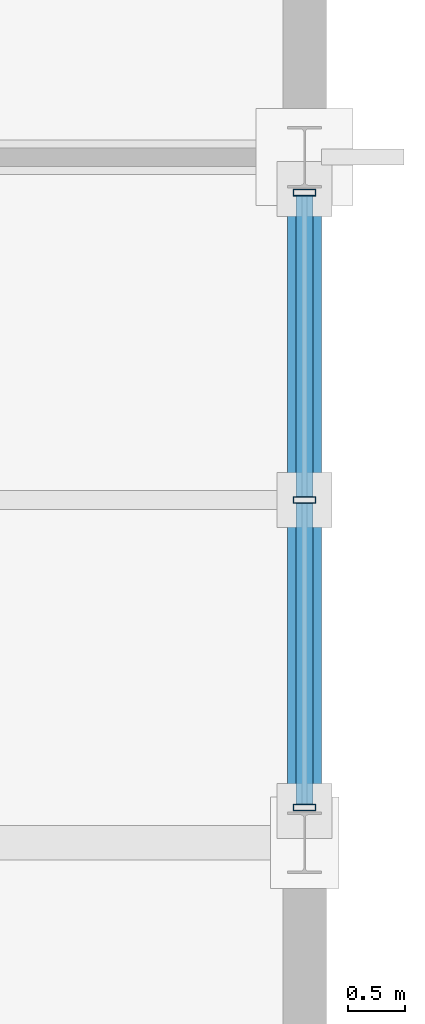
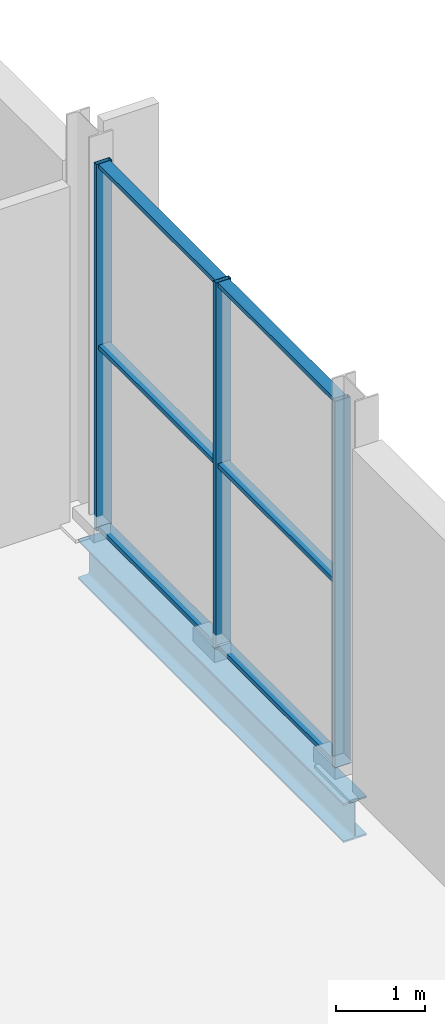
# One storey, part 143 of 196: 9 members, 1 beam, 1 element without a shape of its own.
"""IFC4 building model written with IfcOpenShell, lengths in metres."""

from ifc_helpers import new_model, si_unit, direction, frame, origin, origin_2d, place, context, subcontext, project, spatial, hollow_rectangle, i_section, extrude, material, material_profile, profile_set, type_object, element, aggregate, save


model = new_model("IFC4")

# Units and contexts
model_context = context("Model", 3, precision=1e-05, world=origin(), true_north=direction((0.0, 1.0)))
body_context = subcontext(model_context, "Body", "Model", "MODEL_VIEW")
ifc_project = project(units=[si_unit("LENGTHUNIT", "METRE"), si_unit("AREAUNIT", "SQUARE_METRE"), si_unit("VOLUMEUNIT", "CUBIC_METRE"), si_unit("PLANEANGLEUNIT", "RADIAN"), si_unit("MASSUNIT", "GRAM", prefix="KILO")], contexts=[model_context])

# Site, building, storey
site_placement = place(None, origin())
site = spatial("IfcSite", under=ifc_project, at=site_placement, CompositionType="ELEMENT")
building_placement = place(site_placement, origin())
building = spatial("IfcBuilding", under=site, at=building_placement, Name="Merenkruunu Market Hall", CompositionType="ELEMENT")
storey_placement = place(building_placement, origin())
storey = spatial("IfcBuildingStorey", under=building, at=storey_placement, Name="L00", CompositionType="ELEMENT", Elevation=0.0)

# Curtain wall, members
ifc_material_1 = material(Name="Powder-coated aluminium", Category="aluminium")
curtain_wall_type = type_object("IfcCurtainWallType", Name="Glazed Curtain Wall CW13", PredefinedType="USERDEFINED", material=ifc_material_1)
curtain_wall_placement = place(storey_placement, origin())
curtain_wall = element("IfcCurtainWall", 1, at=curtain_wall_placement, inside=storey, type_object=curtain_wall_type, Name="CW-L00-CWM03-203", ObjectType="GLAZED_FACADE", PredefinedType="USERDEFINED")
ifc_material_profile_1 = material_profile(ifc_material_1, hollow_rectangle(XDim=0.06005859375, YDim=0.199951171875, WallThickness=0.0048828125, at=origin_2d()), Name="ALU 60x200x5")
ifc_profile_set_1 = profile_set([ifc_material_profile_1], Name="Powder-coated aluminium")
member_type_1 = type_object("IfcMemberType", Name="Curtain Wall Mullion CWM03", PredefinedType="MULLION", material=ifc_profile_set_1)
member_1_placement = place(storey_placement, frame((192.0, 51.2900390625, 0.0), z_axis=(0.0, 0.0, 1.0), x_axis=(0.0, -1.0, 0.0)))
member_1 = element("IfcMember", 2, at=member_1_placement, type_object=member_type_1, Name="CW13 mullion 1", PredefinedType="MULLION", context=body_context, shape_type="SweptSolid", body=[
    extrude(hollow_rectangle(XDim=0.06005859375, YDim=0.199951171875, WallThickness=0.0048828125, at=origin_2d()), origin(), (0.0, 0.0, 1.0), 5.050048828125),
])
member_2_placement = place(storey_placement, frame((192.0, 48.60009765625, 0.0), z_axis=(0.0, 0.0, 1.0), x_axis=(0.0, -1.0, 0.0)))
member_2 = element("IfcMember", 3, at=member_2_placement, type_object=member_type_1, Name="CW13 mullion 2", PredefinedType="MULLION", context=body_context, shape_type="SweptSolid", body=[
    extrude(hollow_rectangle(XDim=0.06005859375, YDim=0.199951171875, WallThickness=0.0048828125, at=origin_2d()), origin(), (0.0, 0.0, 1.0), 5.050048828125),
])
member_3_placement = place(storey_placement, frame((192.0, 45.909912109375, 0.0), z_axis=(0.0, 0.0, 1.0), x_axis=(0.0, -1.0, 0.0)))
member_3 = element("IfcMember", 4, at=member_3_placement, type_object=member_type_1, Name="CW13 mullion 3", PredefinedType="MULLION", context=body_context, shape_type="SweptSolid", body=[
    extrude(hollow_rectangle(XDim=0.06005859375, YDim=0.199951171875, WallThickness=0.0048828125, at=origin_2d()), origin(), (0.0, 0.0, 1.0), 5.050048828125),
])
ifc_material_profile_2 = material_profile(ifc_material_1, hollow_rectangle(XDim=0.06005859375, YDim=0.14990234375, WallThickness=0.00390625, at=origin_2d()), Name="ALU 60x150x4")
ifc_profile_set_2 = profile_set([ifc_material_profile_2], Name="Powder-coated aluminium")
member_type_2 = type_object("IfcMemberType", Name="Curtain Wall Transom CWT04", PredefinedType="USERDEFINED", material=ifc_profile_set_2)
member_4_placement = place(storey_placement, frame((192.0, 51.260009765625, 0.030029296875), z_axis=(0.0, -1.0, 0.0), x_axis=(0.0, 0.0, 1.0)))
member_4 = element("IfcMember", 5, at=member_4_placement, type_object=member_type_2, Name="CW13 transom 1.1", ObjectType="TRANSOM", PredefinedType="USERDEFINED", context=body_context, shape_type="SweptSolid", body=[
    extrude(hollow_rectangle(XDim=0.06005859375, YDim=0.14990234375, WallThickness=0.00390625, at=origin_2d()), origin(), (0.0, 0.0, 1.0), 2.630126953125),
])
member_5_placement = place(storey_placement, frame((192.0, 51.260009765625, 2.52490234375), z_axis=(0.0, -1.0, 0.0), x_axis=(0.0, 0.0, 1.0)))
member_5 = element("IfcMember", 6, at=member_5_placement, type_object=member_type_2, Name="CW13 transom 1.2", ObjectType="TRANSOM", PredefinedType="USERDEFINED", context=body_context, shape_type="SweptSolid", body=[
    extrude(hollow_rectangle(XDim=0.06005859375, YDim=0.14990234375, WallThickness=0.00390625, at=origin_2d()), origin(), (0.0, 0.0, 1.0), 2.630126953125),
])
member_6_placement = place(storey_placement, frame((192.0, 51.260009765625, 5.02001953125), z_axis=(0.0, -1.0, 0.0), x_axis=(0.0, 0.0, 1.0)))
member_6 = element("IfcMember", 7, at=member_6_placement, type_object=member_type_2, Name="CW13 transom 1.3", ObjectType="TRANSOM", PredefinedType="USERDEFINED", context=body_context, shape_type="SweptSolid", body=[
    extrude(hollow_rectangle(XDim=0.06005859375, YDim=0.14990234375, WallThickness=0.00390625, at=origin_2d()), origin(), (0.0, 0.0, 1.0), 2.630126953125),
])
member_7_placement = place(storey_placement, frame((192.0, 48.570068359375, 0.030029296875), z_axis=(0.0, -1.0, 0.0), x_axis=(0.0, 0.0, 1.0)))
member_7 = element("IfcMember", 8, at=member_7_placement, type_object=member_type_2, Name="CW13 transom 2.1", ObjectType="TRANSOM", PredefinedType="USERDEFINED", context=body_context, shape_type="SweptSolid", body=[
    extrude(hollow_rectangle(XDim=0.06005859375, YDim=0.14990234375, WallThickness=0.00390625, at=origin_2d()), origin(), (0.0, 0.0, 1.0), 2.630126953125),
])
member_8_placement = place(storey_placement, frame((192.0, 48.570068359375, 2.52490234375), z_axis=(0.0, -1.0, 0.0), x_axis=(0.0, 0.0, 1.0)))
member_8 = element("IfcMember", 9, at=member_8_placement, type_object=member_type_2, Name="CW13 transom 2.2", ObjectType="TRANSOM", PredefinedType="USERDEFINED", context=body_context, shape_type="SweptSolid", body=[
    extrude(hollow_rectangle(XDim=0.06005859375, YDim=0.14990234375, WallThickness=0.00390625, at=origin_2d()), origin(), (0.0, 0.0, 1.0), 2.630126953125),
])
member_9_placement = place(storey_placement, frame((192.0, 48.570068359375, 5.02001953125), z_axis=(0.0, -1.0, 0.0), x_axis=(0.0, 0.0, 1.0)))
member_9 = element("IfcMember", 10, at=member_9_placement, type_object=member_type_2, Name="CW13 transom 2.3", ObjectType="TRANSOM", PredefinedType="USERDEFINED", context=body_context, shape_type="SweptSolid", body=[
    extrude(hollow_rectangle(XDim=0.06005859375, YDim=0.14990234375, WallThickness=0.00390625, at=origin_2d()), origin(), (0.0, 0.0, 1.0), 2.630126953125),
])
aggregate(curtain_wall, [member_1, member_2, member_3, member_4, member_5, member_6, member_7, member_8, member_9])

# Beam
ifc_material_2 = material(Name="Steel S355J2", Category="steel")
ifc_material_profile_3 = material_profile(ifc_material_2, i_section(OverallWidth=0.300048828125, OverallDepth=0.5400390625, WebThickness=0.012451171875, FlangeThickness=0.02392578125, FilletRadius=0.027099609375, at=origin_2d()), Name="HEA 550")
ifc_profile_set_3 = profile_set([ifc_material_profile_3], Name="Steel S355J2")
beam_type = type_object("IfcBeamType", Name="Primary Floor Girder B06", PredefinedType="BEAM", material=ifc_profile_set_3)
beam_placement = place(storey_placement, frame((192.0, 45.60009765625, -0.570068359375), z_axis=(0.0, 1.0, 0.0), x_axis=(-1.0, 0.0, 0.0)))
element("IfcBeam", 11, at=beam_placement, inside=storey, type_object=beam_type, Name="BM-L00-B06-0272", PredefinedType="BEAM", context=body_context, shape_type="SweptSolid", body=[
    extrude(i_section(OverallWidth=0.300048828125, OverallDepth=0.5400390625, WebThickness=0.012451171875, FlangeThickness=0.02392578125, FilletRadius=0.027099609375, at=origin_2d()), origin(), (0.0, 0.0, 1.0), 6.0),
])

save(model, "model.ifc")
